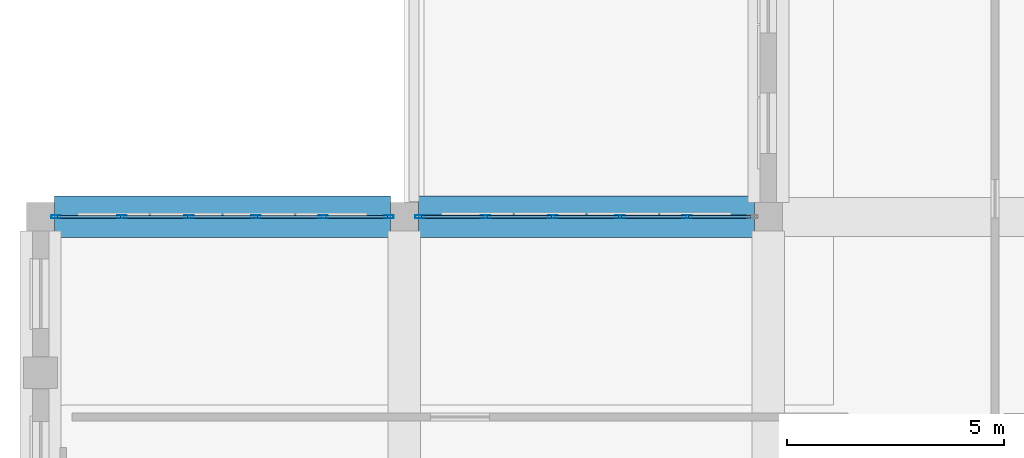
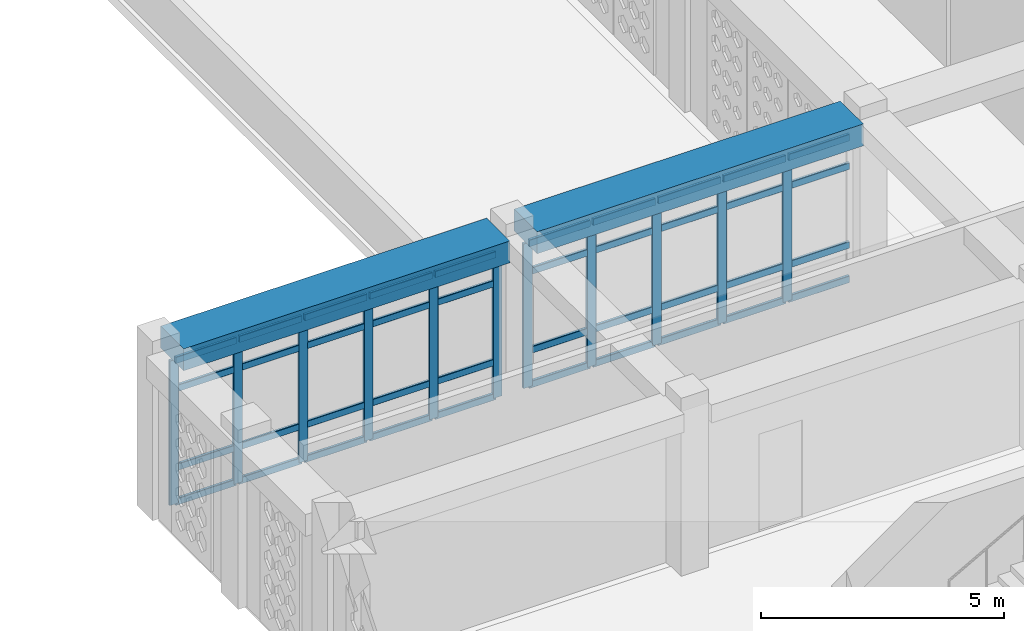
# One storey, part 12 of 79: 51 members, 2 beams, 2 elements without a shape of their own.
"""IFC4 building model written with IfcOpenShell, lengths in metres."""

import ifcopenshell
import ifcopenshell.guid

model = None  # the IFC model being written
_history = None  # IfcOwnerHistory: only IFC2X3 demands one
_inside = {}  # id of a spatial element -> (the spatial element, [elements in it])
_under = {}  # id of a project, library or spatial element -> (it, [spatial elements below it])
_declared = {}  # id of a project -> (the project, [libraries it declares])
_typed = {}  # id of a type object -> (the type object, [elements of that type])
_made_of = {}  # id of a material, layer set ... -> (it, [elements and type objects made of it])


def new_model(schema):
    """Start an empty IFC model of exactly this schema.

    Asked for "IFC4X3", IfcOpenShell would pick the latest addendum, in which some entities
    have other attributes; the version numbers below select the first issue.
    IFC2X3 requires an IfcOwnerHistory on every rooted entity: one is made here for all.
    """
    global model, _history
    if schema == "IFC4X3":
        model = ifcopenshell.file(schema_version=(4, 3, 0, 0))
    else:
        model = ifcopenshell.file(schema=schema)
    _inside.clear()
    _under.clear()
    _declared.clear()
    _typed.clear()
    _made_of.clear()
    _history = None
    if model.schema == "IFC2X3":
        org = make("IfcOrganization", Name="unknown")
        user = make(
            "IfcPersonAndOrganization",
            ThePerson=make("IfcPerson", FamilyName="unknown"),
            TheOrganization=org,
        )
        app = make(
            "IfcApplication",
            ApplicationDeveloper=org,
            Version="unknown",
            ApplicationFullName="unknown",
            ApplicationIdentifier="unknown",
        )
        _history = make(
            "IfcOwnerHistory",
            OwningUser=user,
            OwningApplication=app,
            ChangeAction="ADDED",
            CreationDate=0,
        )
    return model


def make(cls, **values):
    """One entity of the class cls with the attributes given. An attribute that is None is left unset."""
    return model.create_entity(
        cls, **{name: value for name, value in values.items() if value is not None}
    )


def rooted(cls, **values):
    """An entity with a GlobalId (a new one), such as an element, a storey or a relation."""
    return make(cls, GlobalId=ifcopenshell.guid.new(), OwnerHistory=_history, **values)


def si_unit(unit_type, name, prefix=None):
    """IfcSIUnit, for example si_unit("LENGTHUNIT", "METRE", prefix="MILLI")."""
    return make("IfcSIUnit", UnitType=unit_type, Prefix=prefix, Name=name)


def derived_unit(unit_type, elements):
    """IfcDerivedUnit: a product of units, each with its exponent."""
    return make(
        "IfcDerivedUnit",
        Elements=[
            make("IfcDerivedUnitElement", Unit=unit, Exponent=power)
            for unit, power in elements
        ],
        UnitType=unit_type,
    )


def assignment(units):
    """IfcUnitAssignment: the units of a project."""
    return None if units is None else make("IfcUnitAssignment", Units=units)


def point(xyz):
    """IfcCartesianPoint."""
    return None if xyz is None else make("IfcCartesianPoint", Coordinates=xyz)


def direction(xyz):
    """IfcDirection."""
    return None if xyz is None else make("IfcDirection", DirectionRatios=xyz)


def frame(location, z_axis=None, x_axis=None):
    """IfcAxis2Placement3D, a coordinate frame: its origin and axes. An axis left out is left unset."""
    return make(
        "IfcAxis2Placement3D",
        Location=point(location),
        Axis=direction(z_axis),
        RefDirection=direction(x_axis),
    )


def frame_2d(location, x_axis=None):
    """IfcAxis2Placement2D, a coordinate frame in the plane: its origin and x axis."""
    return make(
        "IfcAxis2Placement2D", Location=point(location), RefDirection=direction(x_axis)
    )


def origin():
    """The frame at (0, 0, 0) with its axes left unset."""
    return frame((0.0, 0.0, 0.0))


def origin_2d():
    """The frame at (0, 0) in the plane with its x axis left unset."""
    return frame_2d((0.0, 0.0))


def place(relative_to, where):
    """IfcLocalPlacement: puts the frame where relative to a parent placement (None: the world)."""
    return make(
        "IfcLocalPlacement", PlacementRelTo=relative_to, RelativePlacement=where
    )


def context(
    kind, dimensions, precision=None, world=None, true_north=None, identifier=None
):
    """IfcGeometricRepresentationContext, for example the 3D "Model" context."""
    return make(
        "IfcGeometricRepresentationContext",
        ContextIdentifier=identifier,
        ContextType=kind,
        CoordinateSpaceDimension=dimensions,
        Precision=precision,
        WorldCoordinateSystem=world,
        TrueNorth=true_north,
    )


def subcontext(parent, identifier, kind, view, scale=None):
    """IfcGeometricRepresentationSubContext, for example "Body" below "Model"."""
    return make(
        "IfcGeometricRepresentationSubContext",
        ContextIdentifier=identifier,
        ContextType=kind,
        ParentContext=parent,
        TargetScale=scale,
        TargetView=view,
    )


def project(units=None, contexts=None):
    """IfcProject with its units and contexts."""
    return rooted(
        "IfcProject",
        Name="project",
        RepresentationContexts=contexts,
        UnitsInContext=assignment(units),
    )


def spatial(cls, under=None, at=None, **own):
    """A site, building, storey or space (cls), placed at a placement, below another one or the project."""
    s = rooted(cls, ObjectPlacement=at, **own)
    if under is not None:
        _under.setdefault(under.id(), (under, []))[1].append(s)
    return s


def profile(cls, at=None, kind="AREA", **sizes):
    """A parametric profile (cls). Its sizes go by their IFC names, for example OverallWidth=200.0."""
    return make(cls, ProfileType=kind, Position=at, **sizes)


def rectangle(**sizes):
    """IfcRectangleProfileDef."""
    return profile("IfcRectangleProfileDef", **sizes)


def hollow_rectangle(**sizes):
    """IfcRectangleHollowProfileDef."""
    return profile("IfcRectangleHollowProfileDef", **sizes)


def extrude(swept, where, along, depth):
    """IfcExtrudedAreaSolid: the profile swept, set in the frame where, extruded along a direction by depth."""
    return make(
        "IfcExtrudedAreaSolid",
        SweptArea=swept,
        Position=where,
        ExtrudedDirection=direction(along),
        Depth=depth,
    )


def shape(context_of_items, identifier, shape_type, items):
    """IfcShapeRepresentation: the items that make up one representation, for example the "Body"."""
    return make(
        "IfcShapeRepresentation",
        ContextOfItems=context_of_items,
        RepresentationIdentifier=identifier,
        RepresentationType=shape_type,
        Items=items,
    )


def material(Name=None, Category=None):
    """IfcMaterial."""
    return make("IfcMaterial", Name=Name, Category=Category)


def material_profile(
    of_material, cross_section, Name=None, Category=None, Priority=None
):
    """IfcMaterialProfile: a cross section and its material."""
    return make(
        "IfcMaterialProfile",
        Name=Name,
        Material=of_material,
        Profile=cross_section,
        Priority=Priority,
        Category=Category,
    )


def profile_set(profiles, Name=None, composite=None):
    """IfcMaterialProfileSet."""
    return make(
        "IfcMaterialProfileSet",
        Name=Name,
        MaterialProfiles=profiles,
        CompositeProfile=composite,
    )


def made_of(thing, what):
    """Note that an element or type object is made of a material, layer set ...; save() writes the relation."""
    if what is not None:
        _made_of.setdefault(what.id(), (what, []))[1].append(thing)
    return thing


def type_object(cls, material=None, **own):
    """A type object (cls), such as IfcWallType, which elements share."""
    return made_of(rooted(cls, **own), material)


def element(
    cls,
    number,
    at=None,
    inside=None,
    cuts=None,
    type_object=None,
    material=None,
    context=None,
    identifier="Body",
    shape_type=None,
    held_by="IfcProductDefinitionShape",
    body=None,
    shapes=None,
    **own,
):
    """One element of the class cls, such as IfcWall. Its Tag is "e" and its number.

    at: its placement. inside: the storey or other place that contains it. cuts: it is an
    opening in that element (IfcRelVoidsElement). A single representation is given by context,
    identifier, shape_type and body (its items); several are given by shapes. held_by: the class
    of the entity that holds the representations. save() writes the other relations.
    """
    e = rooted(cls, Tag="e%d" % number, ObjectPlacement=at, **own)
    if body is not None:
        shapes = [shape(context, identifier, shape_type, body)]
    if shapes is not None:
        e.Representation = make(held_by, Representations=shapes)
    if inside is not None:
        _inside.setdefault(inside.id(), (inside, []))[1].append(e)
    if cuts is not None:
        rooted(
            "IfcRelVoidsElement", RelatingBuildingElement=cuts, RelatedOpeningElement=e
        )
    if type_object is not None:
        _typed.setdefault(type_object.id(), (type_object, []))[1].append(e)
    return made_of(e, material)


def aggregate(whole, parts):
    """IfcRelAggregates: a whole, such as a stair, and the parts it consists of."""
    return rooted("IfcRelAggregates", RelatingObject=whole, RelatedObjects=parts)


def save(model, path):
    """Write the relations noted so far, then the file.

    IfcRelAggregates (storeys below a building ...), IfcRelContainedInSpatialStructure (elements
    in a storey), IfcRelDefinesByType, IfcRelAssociatesMaterial and IfcRelDeclares: one each for
    every whole, place, type object, material and project.
    """
    for whole, parts in _under.values():
        aggregate(whole, parts)
    for where, things in _inside.values():
        rooted(
            "IfcRelContainedInSpatialStructure",
            RelatedElements=things,
            RelatingStructure=where,
        )
    for kind, things in _typed.values():
        rooted("IfcRelDefinesByType", RelatedObjects=things, RelatingType=kind)
    for what, things in _made_of.values():
        rooted("IfcRelAssociatesMaterial", RelatedObjects=things, RelatingMaterial=what)
    for by, libraries in _declared.values():
        rooted("IfcRelDeclares", RelatingContext=by, RelatedDefinitions=libraries)
    model.write(path)


model = new_model("IFC4")

# Units and contexts
model_context = context("Model", 3, precision=1e-05, world=origin(), true_north=direction((0.0, 1.0)))
body_context = subcontext(model_context, "Body", "Model", "MODEL_VIEW")
ifc_project = project(units=[si_unit("LENGTHUNIT", "METRE"), si_unit("AREAUNIT", "SQUARE_METRE"), si_unit("VOLUMEUNIT", "CUBIC_METRE"), si_unit("PLANEANGLEUNIT", "RADIAN"), si_unit("MASSUNIT", "GRAM", prefix="KILO"), derived_unit("THERMALTRANSMITTANCEUNIT", [(si_unit("POWERUNIT", "WATT"), 1), (si_unit("LENGTHUNIT", "METRE"), -2), (si_unit("THERMODYNAMICTEMPERATUREUNIT", "KELVIN"), -1)])], contexts=[model_context])

# Site, building, storey
site_placement = place(None, origin())
site = spatial("IfcSite", under=ifc_project, at=site_placement, CompositionType="ELEMENT")
building_placement = place(site_placement, origin())
building = spatial("IfcBuilding", under=site, at=building_placement, Name="Veybourne Emporium", CompositionType="ELEMENT")
storey_placement = place(building_placement, frame((0.0, 0.0, 18.89990234375)))
storey = spatial("IfcBuildingStorey", under=building, at=storey_placement, Name="L04", CompositionType="ELEMENT", Elevation=18.89990234375)

# Curtain wall, members
ifc_material_1 = material(Name="Patinated Architectural Bronze", Category="bronze")
curtain_wall_type_1 = type_object("IfcCurtainWallType", Name="CWSystem_CWS-25", PredefinedType="NOTDEFINED", material=ifc_material_1)
curtain_wall_1_placement = place(storey_placement, origin())
curtain_wall_1 = element("IfcCurtainWall", 1, at=curtain_wall_1_placement, inside=storey, type_object=curtain_wall_type_1, Name="L04 bronze glazed curtain wall CWS-25 (009)", PredefinedType="NOTDEFINED")
ifc_material_profile_1 = material_profile(ifc_material_1, hollow_rectangle(XDim=0.072021484375, YDim=0.22509765625, WallThickness=0.0048828125, InnerFilletRadius=0.007568359375, OuterFilletRadius=0.012451171875, at=origin_2d()), Name="CWM 72x225x5")
ifc_profile_set_1 = profile_set([ifc_material_profile_1], Name="Patinated Architectural Bronze")
member_type_1 = type_object("IfcMemberType", Name="CWMullion_CW-M1", PredefinedType="MULLION", material=ifc_profile_set_1)
member_1_placement = place(storey_placement, frame((8.760986328125, 50.39990234375, 0.0), z_axis=(0.0, 0.0, 1.0), x_axis=(0.0, 1.0, 0.0)))
member_1 = element("IfcMember", 2, at=member_1_placement, type_object=member_type_1, Name="CWS-25 mullion 1", PredefinedType="MULLION", context=body_context, shape_type="SweptSolid", body=[
    extrude(hollow_rectangle(XDim=0.072021484375, YDim=0.22509765625, WallThickness=0.0048828125, InnerFilletRadius=0.007568359375, OuterFilletRadius=0.012451171875, at=origin_2d()), origin(), (0.0, 0.0, 1.0), 3.630126953125),
])
member_2_placement = place(storey_placement, frame((10.27490234375, 50.39990234375, 0.0), z_axis=(0.0, 0.0, 1.0), x_axis=(0.0, 1.0, 0.0)))
member_2 = element("IfcMember", 3, at=member_2_placement, type_object=member_type_1, Name="CWS-25 mullion 2", PredefinedType="MULLION", context=body_context, shape_type="SweptSolid", body=[
    extrude(hollow_rectangle(XDim=0.072021484375, YDim=0.22509765625, WallThickness=0.0048828125, InnerFilletRadius=0.007568359375, OuterFilletRadius=0.012451171875, at=origin_2d()), origin(), (0.0, 0.0, 1.0), 3.630126953125),
])
member_3_placement = place(storey_placement, frame((11.824951171875, 50.39990234375, 0.0), z_axis=(0.0, 0.0, 1.0), x_axis=(0.0, 1.0, 0.0)))
member_3 = element("IfcMember", 4, at=member_3_placement, type_object=member_type_1, Name="CWS-25 mullion 3", PredefinedType="MULLION", context=body_context, shape_type="SweptSolid", body=[
    extrude(hollow_rectangle(XDim=0.072021484375, YDim=0.22509765625, WallThickness=0.0048828125, InnerFilletRadius=0.007568359375, OuterFilletRadius=0.012451171875, at=origin_2d()), origin(), (0.0, 0.0, 1.0), 3.630126953125),
])
member_4_placement = place(storey_placement, frame((13.375, 50.39990234375, 0.0), z_axis=(0.0, 0.0, 1.0), x_axis=(0.0, 1.0, 0.0)))
member_4 = element("IfcMember", 5, at=member_4_placement, type_object=member_type_1, Name="CWS-25 mullion 4", PredefinedType="MULLION", context=body_context, shape_type="SweptSolid", body=[
    extrude(hollow_rectangle(XDim=0.072021484375, YDim=0.22509765625, WallThickness=0.0048828125, InnerFilletRadius=0.007568359375, OuterFilletRadius=0.012451171875, at=origin_2d()), origin(), (0.0, 0.0, 1.0), 3.630126953125),
])
member_5_placement = place(storey_placement, frame((14.925048828125, 50.39990234375, 0.0), z_axis=(0.0, 0.0, 1.0), x_axis=(0.0, 1.0, 0.0)))
member_5 = element("IfcMember", 6, at=member_5_placement, type_object=member_type_1, Name="CWS-25 mullion 5", PredefinedType="MULLION", context=body_context, shape_type="SweptSolid", body=[
    extrude(hollow_rectangle(XDim=0.072021484375, YDim=0.22509765625, WallThickness=0.0048828125, InnerFilletRadius=0.007568359375, OuterFilletRadius=0.012451171875, at=origin_2d()), origin(), (0.0, 0.0, 1.0), 3.630126953125),
])

curtain_wall_type_2 = type_object("IfcCurtainWallType", Name="CWSystem_CWS-24", PredefinedType="NOTDEFINED", material=ifc_material_1)
curtain_wall_2_placement = place(storey_placement, origin())
curtain_wall_2 = element("IfcCurtainWall", 7, at=curtain_wall_2_placement, inside=storey, type_object=curtain_wall_type_2, Name="L04 bronze glazed curtain wall CWS-24 (006)", PredefinedType="NOTDEFINED")
ifc_material_profile_2 = material_profile(ifc_material_1, hollow_rectangle(XDim=0.070068359375, YDim=0.219970703125, WallThickness=0.0048828125, InnerFilletRadius=0.007568359375, OuterFilletRadius=0.012451171875, at=origin_2d()), Name="CWM 70x220x5")
ifc_profile_set_2 = profile_set([ifc_material_profile_2], Name="Patinated Architectural Bronze")
member_type_2 = type_object("IfcMemberType", Name="CWMullion_CW-M4", PredefinedType="MULLION", material=ifc_profile_set_2)
member_6_placement = place(storey_placement, frame((0.360107421875, 50.39990234375, 0.0), z_axis=(0.0, 0.0, 1.0), x_axis=(0.0, 1.0, 0.0)))
member_6 = element("IfcMember", 8, at=member_6_placement, type_object=member_type_2, Name="CWS-24 mullion 1", PredefinedType="MULLION", context=body_context, shape_type="SweptSolid", body=[
    extrude(hollow_rectangle(XDim=0.070068359375, YDim=0.219970703125, WallThickness=0.0048828125, InnerFilletRadius=0.007568359375, OuterFilletRadius=0.012451171875, at=origin_2d()), origin(), (0.0, 0.0, 1.0), 3.630126953125),
])
member_7_placement = place(storey_placement, frame((1.875, 50.39990234375, 0.0), z_axis=(0.0, 0.0, 1.0), x_axis=(0.0, 1.0, 0.0)))
member_7 = element("IfcMember", 9, at=member_7_placement, type_object=member_type_2, Name="CWS-24 mullion 2", PredefinedType="MULLION", context=body_context, shape_type="SweptSolid", body=[
    extrude(hollow_rectangle(XDim=0.070068359375, YDim=0.219970703125, WallThickness=0.0048828125, InnerFilletRadius=0.007568359375, OuterFilletRadius=0.012451171875, at=origin_2d()), origin(), (0.0, 0.0, 1.0), 3.630126953125),
])
member_8_placement = place(storey_placement, frame((3.425048828125, 50.39990234375, 0.0), z_axis=(0.0, 0.0, 1.0), x_axis=(0.0, 1.0, 0.0)))
member_8 = element("IfcMember", 10, at=member_8_placement, type_object=member_type_2, Name="CWS-24 mullion 3", PredefinedType="MULLION", context=body_context, shape_type="SweptSolid", body=[
    extrude(hollow_rectangle(XDim=0.070068359375, YDim=0.219970703125, WallThickness=0.0048828125, InnerFilletRadius=0.007568359375, OuterFilletRadius=0.012451171875, at=origin_2d()), origin(), (0.0, 0.0, 1.0), 3.630126953125),
])
member_9_placement = place(storey_placement, frame((4.97509765625, 50.39990234375, 0.0), z_axis=(0.0, 0.0, 1.0), x_axis=(0.0, 1.0, 0.0)))
member_9 = element("IfcMember", 11, at=member_9_placement, type_object=member_type_2, Name="CWS-24 mullion 4", PredefinedType="MULLION", context=body_context, shape_type="SweptSolid", body=[
    extrude(hollow_rectangle(XDim=0.070068359375, YDim=0.219970703125, WallThickness=0.0048828125, InnerFilletRadius=0.007568359375, OuterFilletRadius=0.012451171875, at=origin_2d()), origin(), (0.0, 0.0, 1.0), 3.630126953125),
])
member_10_placement = place(storey_placement, frame((6.52490234375, 50.39990234375, 0.0), z_axis=(0.0, 0.0, 1.0), x_axis=(0.0, 1.0, 0.0)))
member_10 = element("IfcMember", 12, at=member_10_placement, type_object=member_type_2, Name="CWS-24 mullion 5", PredefinedType="MULLION", context=body_context, shape_type="SweptSolid", body=[
    extrude(hollow_rectangle(XDim=0.070068359375, YDim=0.219970703125, WallThickness=0.0048828125, InnerFilletRadius=0.007568359375, OuterFilletRadius=0.012451171875, at=origin_2d()), origin(), (0.0, 0.0, 1.0), 3.630126953125),
])
member_11_placement = place(storey_placement, frame((8.0400390625, 50.39990234375, 0.0), z_axis=(0.0, 0.0, 1.0), x_axis=(0.0, 1.0, 0.0)))
member_11 = element("IfcMember", 13, at=member_11_placement, type_object=member_type_2, Name="CWS-24 mullion 6", PredefinedType="MULLION", context=body_context, shape_type="SweptSolid", body=[
    extrude(hollow_rectangle(XDim=0.070068359375, YDim=0.219970703125, WallThickness=0.0048828125, InnerFilletRadius=0.007568359375, OuterFilletRadius=0.012451171875, at=origin_2d()), origin(), (0.0, 0.0, 1.0), 3.630126953125),
])

# Member
ifc_material_profile_3 = material_profile(ifc_material_1, hollow_rectangle(XDim=0.072021484375, YDim=0.175048828125, WallThickness=0.0048828125, InnerFilletRadius=0.007568359375, OuterFilletRadius=0.012451171875, at=origin_2d()), Name="CWT 72x175x5")
ifc_profile_set_3 = profile_set([ifc_material_profile_3], Name="Patinated Architectural Bronze")
member_type_3 = type_object("IfcMemberType", Name="CWTransom_CW-T1", PredefinedType="NOTDEFINED", material=ifc_profile_set_3)
member_12_placement = place(storey_placement, frame((8.797119140625, 50.39990234375, 0.0361328125), z_axis=(1.0, 0.0, 0.0), x_axis=(0.0, 1.0, 0.0)))
member_12 = element("IfcMember", 14, at=member_12_placement, type_object=member_type_3, Name="CWS-25 transom 1.1", ObjectType="TRANSOM", PredefinedType="USERDEFINED", context=body_context, shape_type="SweptSolid", body=[
    extrude(hollow_rectangle(XDim=0.072021484375, YDim=0.175048828125, WallThickness=0.0048828125, InnerFilletRadius=0.007568359375, OuterFilletRadius=0.012451171875, at=origin_2d()), origin(), (0.0, 0.0, 1.0), 1.44189453125),
])

member_13_placement = place(storey_placement, frame((8.797119140625, 50.39990234375, 0.900146484375), z_axis=(1.0, 0.0, 0.0), x_axis=(0.0, 1.0, 0.0)))
member_13 = element("IfcMember", 15, at=member_13_placement, type_object=member_type_3, Name="CWS-25 transom 1.2", ObjectType="TRANSOM", PredefinedType="USERDEFINED", context=body_context, shape_type="SweptSolid", body=[
    extrude(hollow_rectangle(XDim=0.072021484375, YDim=0.175048828125, WallThickness=0.0048828125, InnerFilletRadius=0.007568359375, OuterFilletRadius=0.012451171875, at=origin_2d()), origin(), (0.0, 0.0, 1.0), 1.44189453125),
])

member_14_placement = place(storey_placement, frame((8.797119140625, 50.39990234375, 2.880126953125), z_axis=(1.0, 0.0, 0.0), x_axis=(0.0, 1.0, 0.0)))
member_14 = element("IfcMember", 16, at=member_14_placement, type_object=member_type_3, Name="CWS-25 transom 1.3", ObjectType="TRANSOM", PredefinedType="USERDEFINED", context=body_context, shape_type="SweptSolid", body=[
    extrude(hollow_rectangle(XDim=0.072021484375, YDim=0.175048828125, WallThickness=0.0048828125, InnerFilletRadius=0.007568359375, OuterFilletRadius=0.012451171875, at=origin_2d()), origin(), (0.0, 0.0, 1.0), 1.44189453125),
])

member_15_placement = place(storey_placement, frame((8.797119140625, 50.39990234375, 3.593994140625), z_axis=(1.0, 0.0, 0.0), x_axis=(0.0, 1.0, 0.0)))
member_15 = element("IfcMember", 17, at=member_15_placement, type_object=member_type_3, Name="CWS-25 transom 1.4", ObjectType="TRANSOM", PredefinedType="USERDEFINED", context=body_context, shape_type="SweptSolid", body=[
    extrude(hollow_rectangle(XDim=0.072021484375, YDim=0.175048828125, WallThickness=0.0048828125, InnerFilletRadius=0.007568359375, OuterFilletRadius=0.012451171875, at=origin_2d()), origin(), (0.0, 0.0, 1.0), 1.44189453125),
])

member_16_placement = place(storey_placement, frame((10.31103515625, 50.39990234375, 0.0361328125), z_axis=(1.0, 0.0, 0.0), x_axis=(0.0, 1.0, 0.0)))
member_16 = element("IfcMember", 18, at=member_16_placement, type_object=member_type_3, Name="CWS-25 transom 2.1", ObjectType="TRANSOM", PredefinedType="USERDEFINED", context=body_context, shape_type="SweptSolid", body=[
    extrude(hollow_rectangle(XDim=0.072021484375, YDim=0.175048828125, WallThickness=0.0048828125, InnerFilletRadius=0.007568359375, OuterFilletRadius=0.012451171875, at=origin_2d()), origin(), (0.0, 0.0, 1.0), 1.47802734375),
])

member_17_placement = place(storey_placement, frame((10.31103515625, 50.39990234375, 0.900146484375), z_axis=(1.0, 0.0, 0.0), x_axis=(0.0, 1.0, 0.0)))
member_17 = element("IfcMember", 19, at=member_17_placement, type_object=member_type_3, Name="CWS-25 transom 2.2", ObjectType="TRANSOM", PredefinedType="USERDEFINED", context=body_context, shape_type="SweptSolid", body=[
    extrude(hollow_rectangle(XDim=0.072021484375, YDim=0.175048828125, WallThickness=0.0048828125, InnerFilletRadius=0.007568359375, OuterFilletRadius=0.012451171875, at=origin_2d()), origin(), (0.0, 0.0, 1.0), 1.47802734375),
])

member_18_placement = place(storey_placement, frame((10.31103515625, 50.39990234375, 2.880126953125), z_axis=(1.0, 0.0, 0.0), x_axis=(0.0, 1.0, 0.0)))
member_18 = element("IfcMember", 20, at=member_18_placement, type_object=member_type_3, Name="CWS-25 transom 2.3", ObjectType="TRANSOM", PredefinedType="USERDEFINED", context=body_context, shape_type="SweptSolid", body=[
    extrude(hollow_rectangle(XDim=0.072021484375, YDim=0.175048828125, WallThickness=0.0048828125, InnerFilletRadius=0.007568359375, OuterFilletRadius=0.012451171875, at=origin_2d()), origin(), (0.0, 0.0, 1.0), 1.47802734375),
])

member_19_placement = place(storey_placement, frame((10.31103515625, 50.39990234375, 3.593994140625), z_axis=(1.0, 0.0, 0.0), x_axis=(0.0, 1.0, 0.0)))
member_19 = element("IfcMember", 21, at=member_19_placement, type_object=member_type_3, Name="CWS-25 transom 2.4", ObjectType="TRANSOM", PredefinedType="USERDEFINED", context=body_context, shape_type="SweptSolid", body=[
    extrude(hollow_rectangle(XDim=0.072021484375, YDim=0.175048828125, WallThickness=0.0048828125, InnerFilletRadius=0.007568359375, OuterFilletRadius=0.012451171875, at=origin_2d()), origin(), (0.0, 0.0, 1.0), 1.47802734375),
])

member_20_placement = place(storey_placement, frame((11.861083984375, 50.39990234375, 0.0361328125), z_axis=(1.0, 0.0, 0.0), x_axis=(0.0, 1.0, 0.0)))
member_20 = element("IfcMember", 22, at=member_20_placement, type_object=member_type_3, Name="CWS-25 transom 3.1", ObjectType="TRANSOM", PredefinedType="USERDEFINED", context=body_context, shape_type="SweptSolid", body=[
    extrude(hollow_rectangle(XDim=0.072021484375, YDim=0.175048828125, WallThickness=0.0048828125, InnerFilletRadius=0.007568359375, OuterFilletRadius=0.012451171875, at=origin_2d()), origin(), (0.0, 0.0, 1.0), 1.47802734375),
])

member_21_placement = place(storey_placement, frame((11.861083984375, 50.39990234375, 0.900146484375), z_axis=(1.0, 0.0, 0.0), x_axis=(0.0, 1.0, 0.0)))
member_21 = element("IfcMember", 23, at=member_21_placement, type_object=member_type_3, Name="CWS-25 transom 3.2", ObjectType="TRANSOM", PredefinedType="USERDEFINED", context=body_context, shape_type="SweptSolid", body=[
    extrude(hollow_rectangle(XDim=0.072021484375, YDim=0.175048828125, WallThickness=0.0048828125, InnerFilletRadius=0.007568359375, OuterFilletRadius=0.012451171875, at=origin_2d()), origin(), (0.0, 0.0, 1.0), 1.47802734375),
])

member_22_placement = place(storey_placement, frame((11.861083984375, 50.39990234375, 2.880126953125), z_axis=(1.0, 0.0, 0.0), x_axis=(0.0, 1.0, 0.0)))
member_22 = element("IfcMember", 24, at=member_22_placement, type_object=member_type_3, Name="CWS-25 transom 3.3", ObjectType="TRANSOM", PredefinedType="USERDEFINED", context=body_context, shape_type="SweptSolid", body=[
    extrude(hollow_rectangle(XDim=0.072021484375, YDim=0.175048828125, WallThickness=0.0048828125, InnerFilletRadius=0.007568359375, OuterFilletRadius=0.012451171875, at=origin_2d()), origin(), (0.0, 0.0, 1.0), 1.47802734375),
])

member_23_placement = place(storey_placement, frame((11.861083984375, 50.39990234375, 3.593994140625), z_axis=(1.0, 0.0, 0.0), x_axis=(0.0, 1.0, 0.0)))
member_23 = element("IfcMember", 25, at=member_23_placement, type_object=member_type_3, Name="CWS-25 transom 3.4", ObjectType="TRANSOM", PredefinedType="USERDEFINED", context=body_context, shape_type="SweptSolid", body=[
    extrude(hollow_rectangle(XDim=0.072021484375, YDim=0.175048828125, WallThickness=0.0048828125, InnerFilletRadius=0.007568359375, OuterFilletRadius=0.012451171875, at=origin_2d()), origin(), (0.0, 0.0, 1.0), 1.47802734375),
])

member_24_placement = place(storey_placement, frame((13.410888671875, 50.39990234375, 0.0361328125), z_axis=(1.0, 0.0, 0.0), x_axis=(0.0, 1.0, 0.0)))
member_24 = element("IfcMember", 26, at=member_24_placement, type_object=member_type_3, Name="CWS-25 transom 4.1", ObjectType="TRANSOM", PredefinedType="USERDEFINED", context=body_context, shape_type="SweptSolid", body=[
    extrude(hollow_rectangle(XDim=0.072021484375, YDim=0.175048828125, WallThickness=0.0048828125, InnerFilletRadius=0.007568359375, OuterFilletRadius=0.012451171875, at=origin_2d()), origin(), (0.0, 0.0, 1.0), 1.47802734375),
])

member_25_placement = place(storey_placement, frame((13.410888671875, 50.39990234375, 0.900146484375), z_axis=(1.0, 0.0, 0.0), x_axis=(0.0, 1.0, 0.0)))
member_25 = element("IfcMember", 27, at=member_25_placement, type_object=member_type_3, Name="CWS-25 transom 4.2", ObjectType="TRANSOM", PredefinedType="USERDEFINED", context=body_context, shape_type="SweptSolid", body=[
    extrude(hollow_rectangle(XDim=0.072021484375, YDim=0.175048828125, WallThickness=0.0048828125, InnerFilletRadius=0.007568359375, OuterFilletRadius=0.012451171875, at=origin_2d()), origin(), (0.0, 0.0, 1.0), 1.47802734375),
])

member_26_placement = place(storey_placement, frame((13.410888671875, 50.39990234375, 2.880126953125), z_axis=(1.0, 0.0, 0.0), x_axis=(0.0, 1.0, 0.0)))
member_26 = element("IfcMember", 28, at=member_26_placement, type_object=member_type_3, Name="CWS-25 transom 4.3", ObjectType="TRANSOM", PredefinedType="USERDEFINED", context=body_context, shape_type="SweptSolid", body=[
    extrude(hollow_rectangle(XDim=0.072021484375, YDim=0.175048828125, WallThickness=0.0048828125, InnerFilletRadius=0.007568359375, OuterFilletRadius=0.012451171875, at=origin_2d()), origin(), (0.0, 0.0, 1.0), 1.47802734375),
])

member_27_placement = place(storey_placement, frame((13.410888671875, 50.39990234375, 3.593994140625), z_axis=(1.0, 0.0, 0.0), x_axis=(0.0, 1.0, 0.0)))
member_27 = element("IfcMember", 29, at=member_27_placement, type_object=member_type_3, Name="CWS-25 transom 4.4", ObjectType="TRANSOM", PredefinedType="USERDEFINED", context=body_context, shape_type="SweptSolid", body=[
    extrude(hollow_rectangle(XDim=0.072021484375, YDim=0.175048828125, WallThickness=0.0048828125, InnerFilletRadius=0.007568359375, OuterFilletRadius=0.012451171875, at=origin_2d()), origin(), (0.0, 0.0, 1.0), 1.47802734375),
])

member_28_placement = place(storey_placement, frame((14.9609375, 50.39990234375, 0.0361328125), z_axis=(1.0, 0.0, 0.0), x_axis=(0.0, 1.0, 0.0)))
member_28 = element("IfcMember", 30, at=member_28_placement, type_object=member_type_3, Name="CWS-25 transom 5.1", ObjectType="TRANSOM", PredefinedType="USERDEFINED", context=body_context, shape_type="SweptSolid", body=[
    extrude(hollow_rectangle(XDim=0.072021484375, YDim=0.175048828125, WallThickness=0.0048828125, InnerFilletRadius=0.007568359375, OuterFilletRadius=0.012451171875, at=origin_2d()), origin(), (0.0, 0.0, 1.0), 1.442138671875),
])

member_29_placement = place(storey_placement, frame((14.9609375, 50.39990234375, 0.900146484375), z_axis=(1.0, 0.0, 0.0), x_axis=(0.0, 1.0, 0.0)))
member_29 = element("IfcMember", 31, at=member_29_placement, type_object=member_type_3, Name="CWS-25 transom 5.2", ObjectType="TRANSOM", PredefinedType="USERDEFINED", context=body_context, shape_type="SweptSolid", body=[
    extrude(hollow_rectangle(XDim=0.072021484375, YDim=0.175048828125, WallThickness=0.0048828125, InnerFilletRadius=0.007568359375, OuterFilletRadius=0.012451171875, at=origin_2d()), origin(), (0.0, 0.0, 1.0), 1.442138671875),
])

member_30_placement = place(storey_placement, frame((14.9609375, 50.39990234375, 2.880126953125), z_axis=(1.0, 0.0, 0.0), x_axis=(0.0, 1.0, 0.0)))
member_30 = element("IfcMember", 32, at=member_30_placement, type_object=member_type_3, Name="CWS-25 transom 5.3", ObjectType="TRANSOM", PredefinedType="USERDEFINED", context=body_context, shape_type="SweptSolid", body=[
    extrude(hollow_rectangle(XDim=0.072021484375, YDim=0.175048828125, WallThickness=0.0048828125, InnerFilletRadius=0.007568359375, OuterFilletRadius=0.012451171875, at=origin_2d()), origin(), (0.0, 0.0, 1.0), 1.442138671875),
])

member_31_placement = place(storey_placement, frame((14.9609375, 50.39990234375, 3.593994140625), z_axis=(1.0, 0.0, 0.0), x_axis=(0.0, 1.0, 0.0)))
member_31 = element("IfcMember", 33, at=member_31_placement, type_object=member_type_3, Name="CWS-25 transom 5.4", ObjectType="TRANSOM", PredefinedType="USERDEFINED", context=body_context, shape_type="SweptSolid", body=[
    extrude(hollow_rectangle(XDim=0.072021484375, YDim=0.175048828125, WallThickness=0.0048828125, InnerFilletRadius=0.007568359375, OuterFilletRadius=0.012451171875, at=origin_2d()), origin(), (0.0, 0.0, 1.0), 1.442138671875),
])

aggregate(curtain_wall_1, [member_1, member_2, member_3, member_4, member_5, member_12, member_13, member_14, member_15, member_16, member_17, member_18, member_19, member_20, member_21, member_22, member_23, member_24, member_25, member_26, member_27, member_28, member_29, member_30, member_31])

ifc_material_profile_4 = material_profile(ifc_material_1, hollow_rectangle(XDim=0.070068359375, YDim=0.169921875, WallThickness=0.0048828125, InnerFilletRadius=0.007568359375, OuterFilletRadius=0.012451171875, at=origin_2d()), Name="CWT 70x170x5")
ifc_profile_set_4 = profile_set([ifc_material_profile_4], Name="Patinated Architectural Bronze")
member_type_4 = type_object("IfcMemberType", Name="CWTransom_CW-T4", PredefinedType="NOTDEFINED", material=ifc_profile_set_4)
member_32_placement = place(storey_placement, frame((0.39501953125, 50.39990234375, 0.03515625), z_axis=(1.0, 0.0, 0.0), x_axis=(0.0, 1.0, 0.0)))
member_32 = element("IfcMember", 34, at=member_32_placement, type_object=member_type_4, Name="CWS-24 transom 1.1", ObjectType="TRANSOM", PredefinedType="USERDEFINED", context=body_context, shape_type="SweptSolid", body=[
    extrude(hollow_rectangle(XDim=0.070068359375, YDim=0.169921875, WallThickness=0.0048828125, InnerFilletRadius=0.007568359375, OuterFilletRadius=0.012451171875, at=origin_2d()), origin(), (0.0, 0.0, 1.0), 1.445068359375),
])

member_33_placement = place(storey_placement, frame((0.39501953125, 50.39990234375, 0.900146484375), z_axis=(1.0, 0.0, 0.0), x_axis=(0.0, 1.0, 0.0)))
member_33 = element("IfcMember", 35, at=member_33_placement, type_object=member_type_4, Name="CWS-24 transom 1.2", ObjectType="TRANSOM", PredefinedType="USERDEFINED", context=body_context, shape_type="SweptSolid", body=[
    extrude(hollow_rectangle(XDim=0.070068359375, YDim=0.169921875, WallThickness=0.0048828125, InnerFilletRadius=0.007568359375, OuterFilletRadius=0.012451171875, at=origin_2d()), origin(), (0.0, 0.0, 1.0), 1.445068359375),
])

member_34_placement = place(storey_placement, frame((0.39501953125, 50.39990234375, 2.880126953125), z_axis=(1.0, 0.0, 0.0), x_axis=(0.0, 1.0, 0.0)))
member_34 = element("IfcMember", 36, at=member_34_placement, type_object=member_type_4, Name="CWS-24 transom 1.3", ObjectType="TRANSOM", PredefinedType="USERDEFINED", context=body_context, shape_type="SweptSolid", body=[
    extrude(hollow_rectangle(XDim=0.070068359375, YDim=0.169921875, WallThickness=0.0048828125, InnerFilletRadius=0.007568359375, OuterFilletRadius=0.012451171875, at=origin_2d()), origin(), (0.0, 0.0, 1.0), 1.445068359375),
])

member_35_placement = place(storey_placement, frame((0.39501953125, 50.39990234375, 3.59521484375), z_axis=(1.0, 0.0, 0.0), x_axis=(0.0, 1.0, 0.0)))
member_35 = element("IfcMember", 37, at=member_35_placement, type_object=member_type_4, Name="CWS-24 transom 1.4", ObjectType="TRANSOM", PredefinedType="USERDEFINED", context=body_context, shape_type="SweptSolid", body=[
    extrude(hollow_rectangle(XDim=0.070068359375, YDim=0.169921875, WallThickness=0.0048828125, InnerFilletRadius=0.007568359375, OuterFilletRadius=0.012451171875, at=origin_2d()), origin(), (0.0, 0.0, 1.0), 1.445068359375),
])

member_36_placement = place(storey_placement, frame((1.909912109375, 50.39990234375, 0.03515625), z_axis=(1.0, 0.0, 0.0), x_axis=(0.0, 1.0, 0.0)))
member_36 = element("IfcMember", 38, at=member_36_placement, type_object=member_type_4, Name="CWS-24 transom 2.1", ObjectType="TRANSOM", PredefinedType="USERDEFINED", context=body_context, shape_type="SweptSolid", body=[
    extrude(hollow_rectangle(XDim=0.070068359375, YDim=0.169921875, WallThickness=0.0048828125, InnerFilletRadius=0.007568359375, OuterFilletRadius=0.012451171875, at=origin_2d()), origin(), (0.0, 0.0, 1.0), 1.47998046875),
])

member_37_placement = place(storey_placement, frame((1.909912109375, 50.39990234375, 0.900146484375), z_axis=(1.0, 0.0, 0.0), x_axis=(0.0, 1.0, 0.0)))
member_37 = element("IfcMember", 39, at=member_37_placement, type_object=member_type_4, Name="CWS-24 transom 2.2", ObjectType="TRANSOM", PredefinedType="USERDEFINED", context=body_context, shape_type="SweptSolid", body=[
    extrude(hollow_rectangle(XDim=0.070068359375, YDim=0.169921875, WallThickness=0.0048828125, InnerFilletRadius=0.007568359375, OuterFilletRadius=0.012451171875, at=origin_2d()), origin(), (0.0, 0.0, 1.0), 1.47998046875),
])

member_38_placement = place(storey_placement, frame((1.909912109375, 50.39990234375, 2.880126953125), z_axis=(1.0, 0.0, 0.0), x_axis=(0.0, 1.0, 0.0)))
member_38 = element("IfcMember", 40, at=member_38_placement, type_object=member_type_4, Name="CWS-24 transom 2.3", ObjectType="TRANSOM", PredefinedType="USERDEFINED", context=body_context, shape_type="SweptSolid", body=[
    extrude(hollow_rectangle(XDim=0.070068359375, YDim=0.169921875, WallThickness=0.0048828125, InnerFilletRadius=0.007568359375, OuterFilletRadius=0.012451171875, at=origin_2d()), origin(), (0.0, 0.0, 1.0), 1.47998046875),
])

member_39_placement = place(storey_placement, frame((1.909912109375, 50.39990234375, 3.59521484375), z_axis=(1.0, 0.0, 0.0), x_axis=(0.0, 1.0, 0.0)))
member_39 = element("IfcMember", 41, at=member_39_placement, type_object=member_type_4, Name="CWS-24 transom 2.4", ObjectType="TRANSOM", PredefinedType="USERDEFINED", context=body_context, shape_type="SweptSolid", body=[
    extrude(hollow_rectangle(XDim=0.070068359375, YDim=0.169921875, WallThickness=0.0048828125, InnerFilletRadius=0.007568359375, OuterFilletRadius=0.012451171875, at=origin_2d()), origin(), (0.0, 0.0, 1.0), 1.47998046875),
])

member_40_placement = place(storey_placement, frame((3.4599609375, 50.39990234375, 0.03515625), z_axis=(1.0, 0.0, 0.0), x_axis=(0.0, 1.0, 0.0)))
member_40 = element("IfcMember", 42, at=member_40_placement, type_object=member_type_4, Name="CWS-24 transom 3.1", ObjectType="TRANSOM", PredefinedType="USERDEFINED", context=body_context, shape_type="SweptSolid", body=[
    extrude(hollow_rectangle(XDim=0.070068359375, YDim=0.169921875, WallThickness=0.0048828125, InnerFilletRadius=0.007568359375, OuterFilletRadius=0.012451171875, at=origin_2d()), origin(), (0.0, 0.0, 1.0), 1.47998046875),
])

member_41_placement = place(storey_placement, frame((3.4599609375, 50.39990234375, 0.900146484375), z_axis=(1.0, 0.0, 0.0), x_axis=(0.0, 1.0, 0.0)))
member_41 = element("IfcMember", 43, at=member_41_placement, type_object=member_type_4, Name="CWS-24 transom 3.2", ObjectType="TRANSOM", PredefinedType="USERDEFINED", context=body_context, shape_type="SweptSolid", body=[
    extrude(hollow_rectangle(XDim=0.070068359375, YDim=0.169921875, WallThickness=0.0048828125, InnerFilletRadius=0.007568359375, OuterFilletRadius=0.012451171875, at=origin_2d()), origin(), (0.0, 0.0, 1.0), 1.47998046875),
])

member_42_placement = place(storey_placement, frame((3.4599609375, 50.39990234375, 2.880126953125), z_axis=(1.0, 0.0, 0.0), x_axis=(0.0, 1.0, 0.0)))
member_42 = element("IfcMember", 44, at=member_42_placement, type_object=member_type_4, Name="CWS-24 transom 3.3", ObjectType="TRANSOM", PredefinedType="USERDEFINED", context=body_context, shape_type="SweptSolid", body=[
    extrude(hollow_rectangle(XDim=0.070068359375, YDim=0.169921875, WallThickness=0.0048828125, InnerFilletRadius=0.007568359375, OuterFilletRadius=0.012451171875, at=origin_2d()), origin(), (0.0, 0.0, 1.0), 1.47998046875),
])

member_43_placement = place(storey_placement, frame((3.4599609375, 50.39990234375, 3.59521484375), z_axis=(1.0, 0.0, 0.0), x_axis=(0.0, 1.0, 0.0)))
member_43 = element("IfcMember", 45, at=member_43_placement, type_object=member_type_4, Name="CWS-24 transom 3.4", ObjectType="TRANSOM", PredefinedType="USERDEFINED", context=body_context, shape_type="SweptSolid", body=[
    extrude(hollow_rectangle(XDim=0.070068359375, YDim=0.169921875, WallThickness=0.0048828125, InnerFilletRadius=0.007568359375, OuterFilletRadius=0.012451171875, at=origin_2d()), origin(), (0.0, 0.0, 1.0), 1.47998046875),
])

member_44_placement = place(storey_placement, frame((5.010009765625, 50.39990234375, 0.03515625), z_axis=(1.0, 0.0, 0.0), x_axis=(0.0, 1.0, 0.0)))
member_44 = element("IfcMember", 46, at=member_44_placement, type_object=member_type_4, Name="CWS-24 transom 4.1", ObjectType="TRANSOM", PredefinedType="USERDEFINED", context=body_context, shape_type="SweptSolid", body=[
    extrude(hollow_rectangle(XDim=0.070068359375, YDim=0.169921875, WallThickness=0.0048828125, InnerFilletRadius=0.007568359375, OuterFilletRadius=0.012451171875, at=origin_2d()), origin(), (0.0, 0.0, 1.0), 1.47998046875),
])

member_45_placement = place(storey_placement, frame((5.010009765625, 50.39990234375, 0.900146484375), z_axis=(1.0, 0.0, 0.0), x_axis=(0.0, 1.0, 0.0)))
member_45 = element("IfcMember", 47, at=member_45_placement, type_object=member_type_4, Name="CWS-24 transom 4.2", ObjectType="TRANSOM", PredefinedType="USERDEFINED", context=body_context, shape_type="SweptSolid", body=[
    extrude(hollow_rectangle(XDim=0.070068359375, YDim=0.169921875, WallThickness=0.0048828125, InnerFilletRadius=0.007568359375, OuterFilletRadius=0.012451171875, at=origin_2d()), origin(), (0.0, 0.0, 1.0), 1.47998046875),
])

member_46_placement = place(storey_placement, frame((5.010009765625, 50.39990234375, 2.880126953125), z_axis=(1.0, 0.0, 0.0), x_axis=(0.0, 1.0, 0.0)))
member_46 = element("IfcMember", 48, at=member_46_placement, type_object=member_type_4, Name="CWS-24 transom 4.3", ObjectType="TRANSOM", PredefinedType="USERDEFINED", context=body_context, shape_type="SweptSolid", body=[
    extrude(hollow_rectangle(XDim=0.070068359375, YDim=0.169921875, WallThickness=0.0048828125, InnerFilletRadius=0.007568359375, OuterFilletRadius=0.012451171875, at=origin_2d()), origin(), (0.0, 0.0, 1.0), 1.47998046875),
])

member_47_placement = place(storey_placement, frame((5.010009765625, 50.39990234375, 3.59521484375), z_axis=(1.0, 0.0, 0.0), x_axis=(0.0, 1.0, 0.0)))
member_47 = element("IfcMember", 49, at=member_47_placement, type_object=member_type_4, Name="CWS-24 transom 4.4", ObjectType="TRANSOM", PredefinedType="USERDEFINED", context=body_context, shape_type="SweptSolid", body=[
    extrude(hollow_rectangle(XDim=0.070068359375, YDim=0.169921875, WallThickness=0.0048828125, InnerFilletRadius=0.007568359375, OuterFilletRadius=0.012451171875, at=origin_2d()), origin(), (0.0, 0.0, 1.0), 1.47998046875),
])

member_48_placement = place(storey_placement, frame((6.56005859375, 50.39990234375, 0.03515625), z_axis=(1.0, 0.0, 0.0), x_axis=(0.0, 1.0, 0.0)))
member_48 = element("IfcMember", 50, at=member_48_placement, type_object=member_type_4, Name="CWS-24 transom 5.1", ObjectType="TRANSOM", PredefinedType="USERDEFINED", context=body_context, shape_type="SweptSolid", body=[
    extrude(hollow_rectangle(XDim=0.070068359375, YDim=0.169921875, WallThickness=0.0048828125, InnerFilletRadius=0.007568359375, OuterFilletRadius=0.012451171875, at=origin_2d()), origin(), (0.0, 0.0, 1.0), 1.44482421875),
])

member_49_placement = place(storey_placement, frame((6.56005859375, 50.39990234375, 0.900146484375), z_axis=(1.0, 0.0, 0.0), x_axis=(0.0, 1.0, 0.0)))
member_49 = element("IfcMember", 51, at=member_49_placement, type_object=member_type_4, Name="CWS-24 transom 5.2", ObjectType="TRANSOM", PredefinedType="USERDEFINED", context=body_context, shape_type="SweptSolid", body=[
    extrude(hollow_rectangle(XDim=0.070068359375, YDim=0.169921875, WallThickness=0.0048828125, InnerFilletRadius=0.007568359375, OuterFilletRadius=0.012451171875, at=origin_2d()), origin(), (0.0, 0.0, 1.0), 1.44482421875),
])

member_50_placement = place(storey_placement, frame((6.56005859375, 50.39990234375, 2.880126953125), z_axis=(1.0, 0.0, 0.0), x_axis=(0.0, 1.0, 0.0)))
member_50 = element("IfcMember", 52, at=member_50_placement, type_object=member_type_4, Name="CWS-24 transom 5.3", ObjectType="TRANSOM", PredefinedType="USERDEFINED", context=body_context, shape_type="SweptSolid", body=[
    extrude(hollow_rectangle(XDim=0.070068359375, YDim=0.169921875, WallThickness=0.0048828125, InnerFilletRadius=0.007568359375, OuterFilletRadius=0.012451171875, at=origin_2d()), origin(), (0.0, 0.0, 1.0), 1.44482421875),
])

member_51_placement = place(storey_placement, frame((6.56005859375, 50.39990234375, 3.59521484375), z_axis=(1.0, 0.0, 0.0), x_axis=(0.0, 1.0, 0.0)))
member_51 = element("IfcMember", 53, at=member_51_placement, type_object=member_type_4, Name="CWS-24 transom 5.4", ObjectType="TRANSOM", PredefinedType="USERDEFINED", context=body_context, shape_type="SweptSolid", body=[
    extrude(hollow_rectangle(XDim=0.070068359375, YDim=0.169921875, WallThickness=0.0048828125, InnerFilletRadius=0.007568359375, OuterFilletRadius=0.012451171875, at=origin_2d()), origin(), (0.0, 0.0, 1.0), 1.44482421875),
])

aggregate(curtain_wall_2, [member_6, member_7, member_8, member_9, member_10, member_11, member_32, member_33, member_34, member_35, member_36, member_37, member_38, member_39, member_40, member_41, member_42, member_43, member_44, member_45, member_46, member_47, member_48, member_49, member_50, member_51])

# Beams
ifc_material_2 = material(Name="Concrete C32/40", Category="concrete")
ifc_material_profile_5 = material_profile(ifc_material_2, rectangle(XDim=0.949951171875, YDim=0.550048828125, at=origin_2d()), Name="RC 950x550")
ifc_profile_set_5 = profile_set([ifc_material_profile_5], Name="Concrete C32/40")
beam_type = type_object("IfcBeamType", Name="RCBeam_EB-01", PredefinedType="SPANDREL", material=ifc_profile_set_5)
for number, where, z_axis, x_axis, name in (
    (54, (0.324951171875, 50.39990234375, 3.905029296875), (1.0, 0.0, 0.0), (0.0, 1.0, 0.0), "L04 X-grid beam EB-01 (0,7)"),
    (55, (8.72509765625, 50.39990234375, 3.905029296875), (1.0, 0.0, 0.0), (0.0, 1.0, 0.0), "L04 X-grid beam EB-01 (1,7)"),
):
    element("IfcBeam", number, at=place(storey_placement, frame(where, z_axis=z_axis, x_axis=x_axis)), inside=storey, type_object=beam_type, Name=name, PredefinedType="SPANDREL", context=body_context, shape_type="SweptSolid", body=[
        extrude(rectangle(XDim=0.949951171875, YDim=0.550048828125, at=origin_2d()), origin(), (0.0, 0.0, 1.0), 7.75),
    ])

save(model, "model.ifc")
